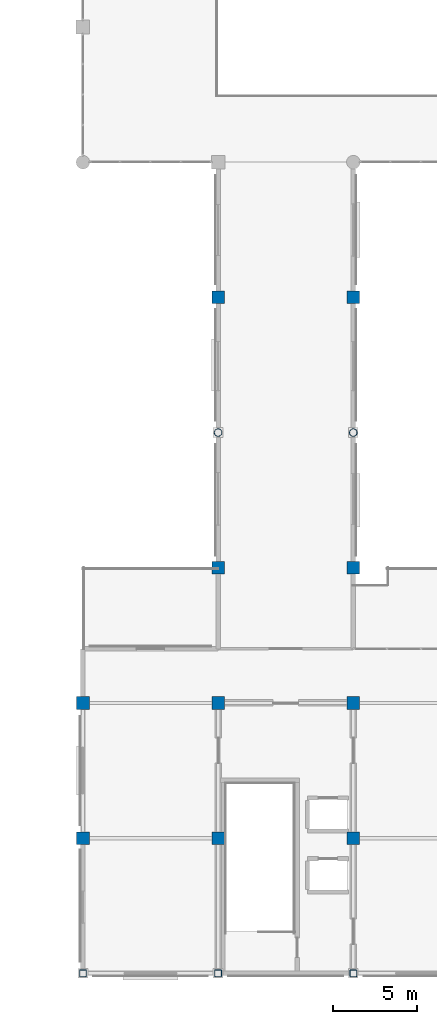
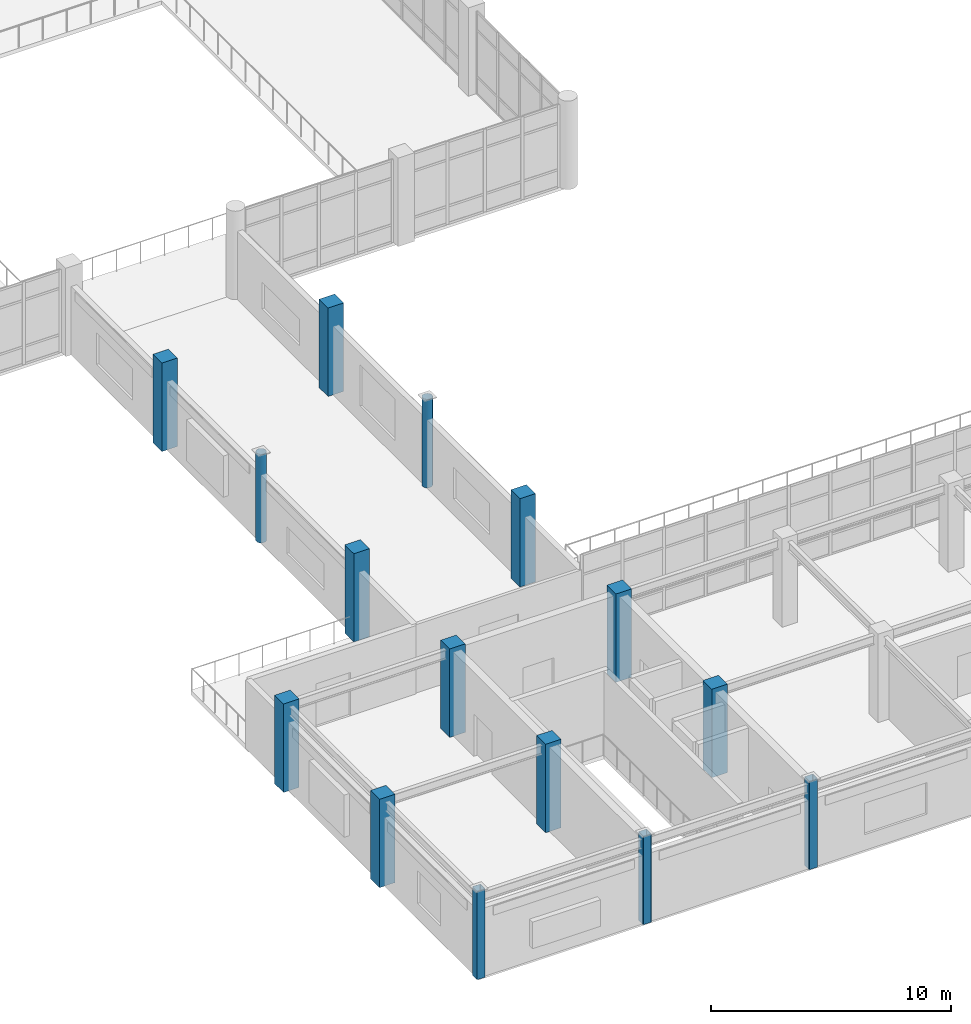
# One storey, part 1 of 42: 15 columns.
"""IFC4 building model written with IfcOpenShell, lengths in metres."""

from ifc_helpers import new_model, si_unit, direction, frame, origin, origin_2d, place, context, subcontext, project, spatial, rectangle, hollow_rectangle, hollow_circle, extrude, material, material_profile, profile_set, type_object, element, save


model = new_model("IFC4")

# Units and contexts
model_context = context("Model", 3, precision=1e-05, world=origin(), true_north=direction((0.0, 1.0)))
body_context = subcontext(model_context, "Body", "Model", "MODEL_VIEW")
ifc_project = project(units=[si_unit("LENGTHUNIT", "METRE"), si_unit("AREAUNIT", "SQUARE_METRE"), si_unit("VOLUMEUNIT", "CUBIC_METRE"), si_unit("PLANEANGLEUNIT", "RADIAN"), si_unit("MASSUNIT", "GRAM", prefix="KILO")], contexts=[model_context])

# Site, building, storey
site_placement = place(None, origin())
site = spatial("IfcSite", under=ifc_project, at=site_placement, CompositionType="ELEMENT")
building_placement = place(site_placement, origin())
building = spatial("IfcBuilding", under=site, at=building_placement, Name="Solmirada Galleria", CompositionType="ELEMENT")
storey_placement = place(building_placement, frame((0.0, 0.0, 28.39990234375)))
storey = spatial("IfcBuildingStorey", under=building, at=storey_placement, Name="L06", CompositionType="ELEMENT", Elevation=28.39990234375)

# Columns
ifc_material_1 = material(Name="Steel S355 / ASTM A500 Grade C", Category="steel")
ifc_material_profile_1 = material_profile(ifc_material_1, hollow_circle(Radius=0.228515625, WallThickness=0.01171875, at=origin_2d()), Name="HSS18.000X0.500")
ifc_profile_set_1 = profile_set([ifc_material_profile_1], Name="Steel S355 / ASTM A500 Grade C")
column_type_1 = type_object("IfcColumnType", Name="COL-CHS18", PredefinedType="COLUMN", material=ifc_profile_set_1)
for number, where, z_axis, x_axis, name in (
    (1, (88.0, 32.0, 0.0), (0.0, 0.0, 1.0), (1.0, 0.0, 0.0), "Structural column L06-0501"),
    (2, (96.0, 32.0, 0.0), (0.0, 0.0, 1.0), (1.0, 0.0, 0.0), "Structural column L06-0623"),
):
    element("IfcColumn", number, at=place(storey_placement, frame(where, z_axis=z_axis, x_axis=x_axis)), inside=storey, type_object=column_type_1, Name=name, PredefinedType="COLUMN", context=body_context, shape_type="SweptSolid", body=[
        extrude(hollow_circle(Radius=0.228515625, WallThickness=0.01171875, at=origin_2d()), origin(), (0.0, 0.0, 1.0), 4.5),
    ])
ifc_material_profile_2 = material_profile(ifc_material_1, hollow_rectangle(XDim=0.406005859375, YDim=0.406005859375, WallThickness=0.0146484375, InnerFilletRadius=0.0146484375, OuterFilletRadius=0.029296875, at=origin_2d()), Name="HSS16X16X5/8")
ifc_profile_set_2 = profile_set([ifc_material_profile_2], Name="Steel S355 / ASTM A500 Grade C")
column_type_2 = type_object("IfcColumnType", Name="COL-HSS16", PredefinedType="COLUMN", material=ifc_profile_set_2)
for number, where, z_axis, x_axis, name in (
    (3, (80.0, 0.0, 0.0), (0.0, 0.0, 1.0), (1.0, 0.0, 0.0), "Structural column L06-0352"),
    (4, (88.0, 0.0, 0.0), (0.0, 0.0, 1.0), (1.0, 0.0, 0.0), "Structural column L06-0469"),
    (5, (96.0, 0.0, 0.0), (0.0, 0.0, 1.0), (1.0, 0.0, 0.0), "Structural column L06-0591"),
):
    element("IfcColumn", number, at=place(storey_placement, frame(where, z_axis=z_axis, x_axis=x_axis)), inside=storey, type_object=column_type_2, Name=name, PredefinedType="COLUMN", context=body_context, shape_type="SweptSolid", body=[
        extrude(hollow_rectangle(XDim=0.406005859375, YDim=0.406005859375, WallThickness=0.0146484375, InnerFilletRadius=0.0146484375, OuterFilletRadius=0.029296875, at=origin_2d()), origin(), (0.0, 0.0, 1.0), 4.5),
    ])
ifc_material_2 = material(Name="Concrete C40/50", Category="concrete")
ifc_material_profile_3 = material_profile(ifc_material_2, rectangle(XDim=0.75, YDim=0.75, at=origin_2d()), Name="RC750X750")
ifc_profile_set_3 = profile_set([ifc_material_profile_3], Name="Concrete C40/50")
column_type_3 = type_object("IfcColumnType", Name="COL-RC750", PredefinedType="COLUMN", material=ifc_profile_set_3)
for number, where, z_axis, x_axis, name in (
    (6, (80.0, 8.0, 0.0), (0.0, 0.0, 1.0), (1.0, 0.0, 0.0), "Structural column L06-0360"),
    (7, (80.0, 16.0, 0.0), (0.0, 0.0, 1.0), (1.0, 0.0, 0.0), "Structural column L06-0368"),
    (8, (88.0, 8.0, 0.0), (0.0, 0.0, 1.0), (1.0, 0.0, 0.0), "Structural column L06-0477"),
    (9, (88.0, 16.0, 0.0), (0.0, 0.0, 1.0), (1.0, 0.0, 0.0), "Structural column L06-0485"),
    (10, (88.0, 24.0, 0.0), (0.0, 0.0, 1.0), (1.0, 0.0, 0.0), "Structural column L06-0493"),
    (11, (88.0, 40.0, 0.0), (0.0, 0.0, 1.0), (1.0, 0.0, 0.0), "Structural column L06-0509"),
    (12, (96.0, 8.0, 0.0), (0.0, 0.0, 1.0), (1.0, 0.0, 0.0), "Structural column L06-0599"),
    (13, (96.0, 16.0, 0.0), (0.0, 0.0, 1.0), (1.0, 0.0, 0.0), "Structural column L06-0607"),
    (14, (96.0, 24.0, 0.0), (0.0, 0.0, 1.0), (1.0, 0.0, 0.0), "Structural column L06-0615"),
    (15, (96.0, 40.0, 0.0), (0.0, 0.0, 1.0), (1.0, 0.0, 0.0), "Structural column L06-0631"),
):
    element("IfcColumn", number, at=place(storey_placement, frame(where, z_axis=z_axis, x_axis=x_axis)), inside=storey, type_object=column_type_3, Name=name, PredefinedType="COLUMN", context=body_context, shape_type="SweptSolid", body=[
        extrude(rectangle(XDim=0.75, YDim=0.75, at=origin_2d()), origin(), (0.0, 0.0, 1.0), 4.5),
    ])

save(model, "model.ifc")
